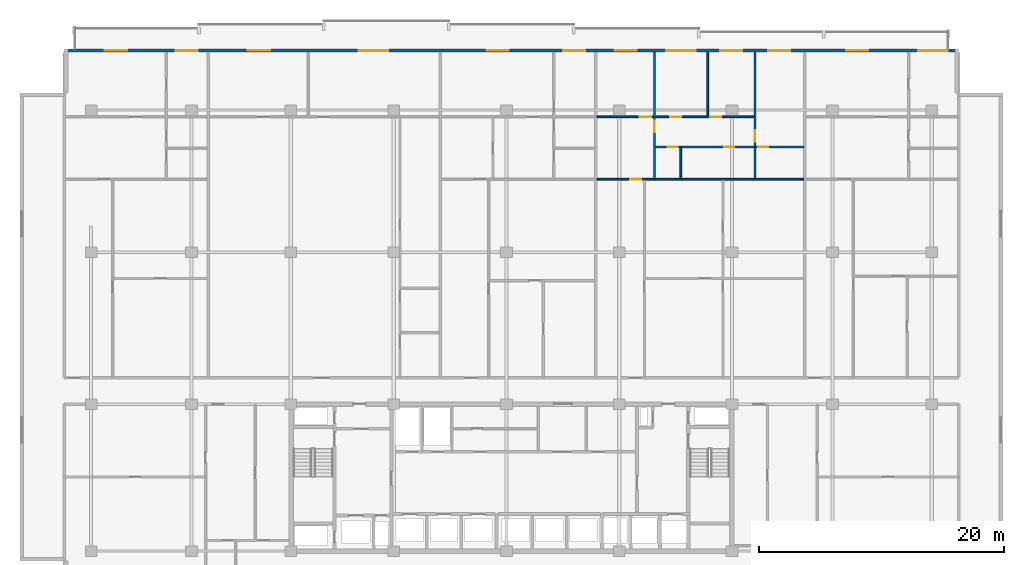
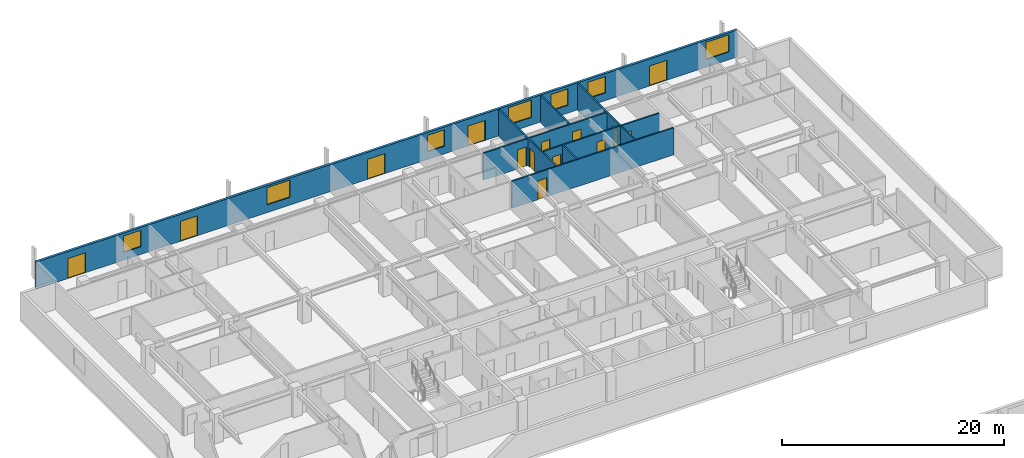
# One storey, part 15 of 22: 14 doors, 9 walls, 7 windows, 21 openings.
"""IFC4 building model written with IfcOpenShell, lengths in metres."""

from ifc_helpers import new_model, si_unit, direction, frame, frame_2d, origin, place, context, subcontext, project, spatial, rectangle, extrude, material, layer, layer_set, type_object, element, fill, save


model = new_model("IFC4")

# Units and contexts
model_context = context("Model", 3, precision=1e-05, world=origin(), true_north=direction((0.0, 1.0)))
body_context = subcontext(model_context, "Body", "Model", "MODEL_VIEW")
ifc_project = project(units=[si_unit("LENGTHUNIT", "METRE"), si_unit("AREAUNIT", "SQUARE_METRE"), si_unit("VOLUMEUNIT", "CUBIC_METRE"), si_unit("PLANEANGLEUNIT", "RADIAN"), si_unit("MASSUNIT", "GRAM", prefix="KILO")], contexts=[model_context])

# Site, building, storey
site_placement = place(None, origin())
site = spatial("IfcSite", under=ifc_project, at=site_placement, CompositionType="ELEMENT")
building_placement = place(site_placement, origin())
building = spatial("IfcBuilding", under=site, at=building_placement, Name="Korimba Cascade Residences", CompositionType="ELEMENT")
storey_placement = place(building_placement, frame((0.0, 0.0, 84.050048828125)))
storey = spatial("IfcBuildingStorey", under=building, at=storey_placement, Name="L23", CompositionType="ELEMENT", Elevation=84.050048828125)

# Wall, openings, doors, windows
ifc_material_1 = material(Name="Precast concrete C40/50", Category="concrete")
ifc_layer_1 = layer(ifc_material_1, 0.25)
ifc_layer_set_1 = layer_set([ifc_layer_1], Name="Precast concrete C40/50")
wall_type_1 = type_object("IfcWallType", Name="EW-LOG-250", PredefinedType="STANDARD", material=ifc_layer_set_1)
wall_1_placement = place(storey_placement, frame((130.60009765625, 96.050048828125, 0.0), z_axis=(0.0, 0.0, 1.0), x_axis=(-1.0, 0.0, 0.0)))
wall_1 = element("IfcWall", 1, at=wall_1_placement, inside=storey, type_object=wall_type_1, Name="L23 T1 Perimeter Stone Wall E06", PredefinedType="STANDARD", context=body_context, shape_type="SweptSolid", body=[
    extrude(rectangle(XDim=73.0, YDim=0.25, at=frame_2d((36.5, 0.0))), origin(), (0.0, 0.0, 1.0), 2.969970703125),
])
opening_1_placement = place(wall_1_placement, frame((67.86669921875, 0.0, 0.0)))
opening_1 = element("IfcOpeningElement", 2, at=opening_1_placement, cuts=wall_1, Name="Opening D-LG1", PredefinedType="OPENING", context=body_context, shape_type="SweptSolid", body=[
    extrude(rectangle(XDim=1.800048828125, YDim=2.199951171875, at=frame_2d((0.89990234375, 1.10009765625))), frame((0.0, 0.135009765625, 0.0), z_axis=(0.0, -1.0, 0.0), x_axis=(1.0, 0.0, 0.0)), (0.0, 0.0, 1.0), 0.27001953125),
])
opening_2_placement = place(wall_1_placement, frame((62.103271484375, 0.0, 0.85009765625)))
opening_2 = element("IfcOpeningElement", 3, at=opening_2_placement, cuts=wall_1, Name="Opening W-02", PredefinedType="OPENING", context=body_context, shape_type="SweptSolid", body=[
    extrude(rectangle(XDim=1.800048828125, YDim=1.800048828125, at=frame_2d((0.89990234375, 0.89990234375))), frame((0.0, 0.135009765625, 0.0), z_axis=(0.0, -1.0, 0.0), x_axis=(1.0, 0.0, 0.0)), (0.0, 0.0, 1.0), 0.27001953125),
])
opening_3_placement = place(wall_1_placement, frame((56.1962890625, 0.0, 0.0)))
opening_3 = element("IfcOpeningElement", 4, at=opening_3_placement, cuts=wall_1, Name="Opening D-LG1", PredefinedType="OPENING", context=body_context, shape_type="SweptSolid", body=[
    extrude(rectangle(XDim=1.800048828125, YDim=2.199951171875, at=frame_2d((0.89990234375, 1.10009765625))), frame((0.0, 0.135009765625, 0.0), z_axis=(0.0, -1.0, 0.0), x_axis=(1.0, 0.0, 0.0)), (0.0, 0.0, 1.0), 0.27001953125),
])
opening_4_placement = place(wall_1_placement, frame((46.557373046875, 0.0, 0.85009765625)))
opening_4 = element("IfcOpeningElement", 5, at=opening_4_placement, cuts=wall_1, Name="Opening W-01", PredefinedType="OPENING", context=body_context, shape_type="SweptSolid", body=[
    extrude(rectangle(XDim=2.39990234375, YDim=1.89990234375, at=frame_2d((1.199951171875, 0.949951171875))), frame((0.0, 0.135009765625, 0.0), z_axis=(0.0, -1.0, 0.0), x_axis=(1.0, 0.0, 0.0)), (0.0, 0.0, 1.0), 0.27001953125),
])
opening_5_placement = place(wall_1_placement, frame((36.714111328125, 0.0, 0.0)))
opening_5 = element("IfcOpeningElement", 6, at=opening_5_placement, cuts=wall_1, Name="Opening D-LG1", PredefinedType="OPENING", context=body_context, shape_type="SweptSolid", body=[
    extrude(rectangle(XDim=1.800048828125, YDim=2.199951171875, at=frame_2d((0.89990234375, 1.10009765625))), frame((0.0, 0.135009765625, 0.0), z_axis=(0.0, -1.0, 0.0), x_axis=(1.0, 0.0, 0.0)), (0.0, 0.0, 1.0), 0.27001953125),
])
opening_6_placement = place(wall_1_placement, frame((30.48291015625, 0.0, 0.85009765625)))
opening_6 = element("IfcOpeningElement", 7, at=opening_6_placement, cuts=wall_1, Name="Opening W-02", PredefinedType="OPENING", context=body_context, shape_type="SweptSolid", body=[
    extrude(rectangle(XDim=1.800048828125, YDim=1.800048828125, at=frame_2d((0.89990234375, 0.89990234375))), frame((0.0, 0.135009765625, 0.0), z_axis=(0.0, -1.0, 0.0), x_axis=(1.0, 0.0, 0.0)), (0.0, 0.0, 1.0), 0.27001953125),
])
opening_7_placement = place(wall_1_placement, frame((21.447021484375, 0.0, 0.85009765625)))
opening_7 = element("IfcOpeningElement", 8, at=opening_7_placement, cuts=wall_1, Name="Opening W-01", PredefinedType="OPENING", context=body_context, shape_type="SweptSolid", body=[
    extrude(rectangle(XDim=2.39990234375, YDim=1.89990234375, at=frame_2d((1.199951171875, 0.949951171875))), frame((0.0, 0.135009765625, 0.0), z_axis=(0.0, -1.0, 0.0), x_axis=(1.0, 0.0, 0.0)), (0.0, 0.0, 1.0), 0.27001953125),
])
opening_8_placement = place(wall_1_placement, frame((17.645751953125, 0.0, 0.85009765625)))
opening_8 = element("IfcOpeningElement", 9, at=opening_8_placement, cuts=wall_1, Name="Opening W-02", PredefinedType="OPENING", context=body_context, shape_type="SweptSolid", body=[
    extrude(rectangle(XDim=1.800048828125, YDim=1.800048828125, at=frame_2d((0.89990234375, 0.89990234375))), frame((0.0, 0.135009765625, 0.0), z_axis=(0.0, -1.0, 0.0), x_axis=(1.0, 0.0, 0.0)), (0.0, 0.0, 1.0), 0.27001953125),
])
opening_9_placement = place(wall_1_placement, frame((26.2578125, 0.0, 0.0)))
opening_9 = element("IfcOpeningElement", 10, at=opening_9_placement, cuts=wall_1, Name="Opening D-LG1", PredefinedType="OPENING", context=body_context, shape_type="SweptSolid", body=[
    extrude(rectangle(XDim=1.800048828125, YDim=2.199951171875, at=frame_2d((0.89990234375, 1.10009765625))), frame((0.0, 0.135009765625, 0.0), z_axis=(0.0, -1.0, 0.0), x_axis=(1.0, 0.0, 0.0)), (0.0, 0.0, 1.0), 0.27001953125),
])
opening_10_placement = place(wall_1_placement, frame((13.75341796875, 0.0, 0.85009765625)))
opening_10 = element("IfcOpeningElement", 11, at=opening_10_placement, cuts=wall_1, Name="Opening W-02", PredefinedType="OPENING", context=body_context, shape_type="SweptSolid", body=[
    extrude(rectangle(XDim=1.800048828125, YDim=1.800048828125, at=frame_2d((0.89990234375, 0.89990234375))), frame((0.0, 0.135009765625, 0.0), z_axis=(0.0, -1.0, 0.0), x_axis=(1.0, 0.0, 0.0)), (0.0, 0.0, 1.0), 0.27001953125),
])
opening_11_placement = place(wall_1_placement, frame((7.36328125, 0.0, 0.0)))
opening_11 = element("IfcOpeningElement", 12, at=opening_11_placement, cuts=wall_1, Name="Opening D-LG1", PredefinedType="OPENING", context=body_context, shape_type="SweptSolid", body=[
    extrude(rectangle(XDim=1.800048828125, YDim=2.199951171875, at=frame_2d((0.89990234375, 1.10009765625))), frame((0.0, 0.135009765625, 0.0), z_axis=(0.0, -1.0, 0.0), x_axis=(1.0, 0.0, 0.0)), (0.0, 0.0, 1.0), 0.27001953125),
])
opening_12_placement = place(wall_1_placement, frame((0.89990234375, 0.0, 0.85009765625)))
opening_12 = element("IfcOpeningElement", 13, at=opening_12_placement, cuts=wall_1, Name="Opening W-01", PredefinedType="OPENING", context=body_context, shape_type="SweptSolid", body=[
    extrude(rectangle(XDim=2.39990234375, YDim=1.89990234375, at=frame_2d((1.199951171875, 0.949951171875))), frame((0.0, 0.135009765625, 0.0), z_axis=(0.0, -1.0, 0.0), x_axis=(1.0, 0.0, 0.0)), (0.0, 0.0, 1.0), 0.27001953125),
])
ifc_material_2 = material(Name="Glazed Aluminium Loggia Sliding Door", Category="aluminium")
door_type_1 = type_object("IfcDoorType", Name="DR-EXT-LOG", OperationType="NOTDEFINED", PredefinedType="DOOR", material=ifc_material_2)
door_1_placement = place(opening_1_placement, origin())
door_1 = element("IfcDoor", 14, at=door_1_placement, inside=storey, type_object=door_type_1, Name="L23 T1 Loggia Sliding Door 3", OperationType="SLIDING_TO_LEFT", OverallHeight=2.199951171875, OverallWidth=1.800048828125, PredefinedType="DOOR", context=body_context, shape_type="SweptSolid", body=[
    extrude(rectangle(XDim=1.800048828125, YDim=2.199951171875, at=frame_2d((0.89990234375, 1.10009765625))), frame((0.0, 0.02490234375, 0.0), z_axis=(0.0, -1.0, 0.0), x_axis=(1.0, 0.0, 0.0)), (0.0, 0.0, 1.0), 0.050048828125),
])
fill(opening_1, door_1)
door_2_placement = place(opening_3_placement, origin())
door_2 = element("IfcDoor", 15, at=door_2_placement, inside=storey, type_object=door_type_1, Name="L23 T1 Loggia Sliding Door 5", OperationType="SLIDING_TO_LEFT", OverallHeight=2.199951171875, OverallWidth=1.800048828125, PredefinedType="DOOR", context=body_context, shape_type="SweptSolid", body=[
    extrude(rectangle(XDim=1.800048828125, YDim=2.199951171875, at=frame_2d((0.89990234375, 1.10009765625))), frame((0.0, 0.02490234375, 0.0), z_axis=(0.0, -1.0, 0.0), x_axis=(1.0, 0.0, 0.0)), (0.0, 0.0, 1.0), 0.050048828125),
])
fill(opening_3, door_2)
door_3_placement = place(opening_5_placement, origin())
door_3 = element("IfcDoor", 16, at=door_3_placement, inside=storey, type_object=door_type_1, Name="L23 T1 Loggia Sliding Door 7", OperationType="SLIDING_TO_LEFT", OverallHeight=2.199951171875, OverallWidth=1.800048828125, PredefinedType="DOOR", context=body_context, shape_type="SweptSolid", body=[
    extrude(rectangle(XDim=1.800048828125, YDim=2.199951171875, at=frame_2d((0.89990234375, 1.10009765625))), frame((0.0, 0.02490234375, 0.0), z_axis=(0.0, -1.0, 0.0), x_axis=(1.0, 0.0, 0.0)), (0.0, 0.0, 1.0), 0.050048828125),
])
fill(opening_5, door_3)
door_4_placement = place(opening_9_placement, origin())
door_4 = element("IfcDoor", 17, at=door_4_placement, inside=storey, type_object=door_type_1, Name="L23 T1 Loggia Sliding Door 11", OperationType="SLIDING_TO_LEFT", OverallHeight=2.199951171875, OverallWidth=1.800048828125, PredefinedType="DOOR", context=body_context, shape_type="SweptSolid", body=[
    extrude(rectangle(XDim=1.800048828125, YDim=2.199951171875, at=frame_2d((0.89990234375, 1.10009765625))), frame((0.0, 0.02490234375, 0.0), z_axis=(0.0, -1.0, 0.0), x_axis=(1.0, 0.0, 0.0)), (0.0, 0.0, 1.0), 0.050048828125),
])
fill(opening_9, door_4)
door_5_placement = place(opening_11_placement, origin())
door_5 = element("IfcDoor", 18, at=door_5_placement, inside=storey, type_object=door_type_1, Name="L23 T1 Loggia Sliding Door 13", OperationType="SLIDING_TO_LEFT", OverallHeight=2.199951171875, OverallWidth=1.800048828125, PredefinedType="DOOR", context=body_context, shape_type="SweptSolid", body=[
    extrude(rectangle(XDim=1.800048828125, YDim=2.199951171875, at=frame_2d((0.89990234375, 1.10009765625))), frame((0.0, 0.02490234375, 0.0), z_axis=(0.0, -1.0, 0.0), x_axis=(1.0, 0.0, 0.0)), (0.0, 0.0, 1.0), 0.050048828125),
])
fill(opening_11, door_5)
ifc_material_3 = material(Name="Double-Glazed Aluminium Window", Category="aluminium")
window_type_1 = type_object("IfcWindowType", Name="WIN-BED-1800", PartitioningType="SINGLE_PANEL", PredefinedType="WINDOW", material=ifc_material_3)
window_1_placement = place(opening_2_placement, origin())
window_1 = element("IfcWindow", 19, at=window_1_placement, inside=storey, type_object=window_type_1, Name="L23 T1 North Facade Window 4", OverallHeight=1.800048828125, OverallWidth=1.800048828125, PartitioningType="SINGLE_PANEL", PredefinedType="WINDOW", context=body_context, shape_type="SweptSolid", body=[
    extrude(rectangle(XDim=1.800048828125, YDim=1.800048828125, at=frame_2d((0.89990234375, 0.89990234375))), frame((0.0, 0.030029296875, 0.0), z_axis=(0.0, -1.0, 0.0), x_axis=(1.0, 0.0, 0.0)), (0.0, 0.0, 1.0), 0.06005859375),
])
fill(opening_2, window_1)
window_2_placement = place(opening_6_placement, origin())
window_2 = element("IfcWindow", 20, at=window_2_placement, inside=storey, type_object=window_type_1, Name="L23 T1 North Facade Window 8", OverallHeight=1.800048828125, OverallWidth=1.800048828125, PartitioningType="SINGLE_PANEL", PredefinedType="WINDOW", context=body_context, shape_type="SweptSolid", body=[
    extrude(rectangle(XDim=1.800048828125, YDim=1.800048828125, at=frame_2d((0.89990234375, 0.89990234375))), frame((0.0, 0.030029296875, 0.0), z_axis=(0.0, -1.0, 0.0), x_axis=(1.0, 0.0, 0.0)), (0.0, 0.0, 1.0), 0.06005859375),
])
fill(opening_6, window_2)
window_3_placement = place(opening_8_placement, origin())
window_3 = element("IfcWindow", 21, at=window_3_placement, inside=storey, type_object=window_type_1, Name="L23 T1 North Facade Window 10", OverallHeight=1.800048828125, OverallWidth=1.800048828125, PartitioningType="SINGLE_PANEL", PredefinedType="WINDOW", context=body_context, shape_type="SweptSolid", body=[
    extrude(rectangle(XDim=1.800048828125, YDim=1.800048828125, at=frame_2d((0.89990234375, 0.89990234375))), frame((0.0, 0.030029296875, 0.0), z_axis=(0.0, -1.0, 0.0), x_axis=(1.0, 0.0, 0.0)), (0.0, 0.0, 1.0), 0.06005859375),
])
fill(opening_8, window_3)
window_4_placement = place(opening_10_placement, origin())
window_4 = element("IfcWindow", 22, at=window_4_placement, inside=storey, type_object=window_type_1, Name="L23 T1 North Facade Window 12", OverallHeight=1.800048828125, OverallWidth=1.800048828125, PartitioningType="SINGLE_PANEL", PredefinedType="WINDOW", context=body_context, shape_type="SweptSolid", body=[
    extrude(rectangle(XDim=1.800048828125, YDim=1.800048828125, at=frame_2d((0.89990234375, 0.89990234375))), frame((0.0, 0.030029296875, 0.0), z_axis=(0.0, -1.0, 0.0), x_axis=(1.0, 0.0, 0.0)), (0.0, 0.0, 1.0), 0.06005859375),
])
fill(opening_10, window_4)
window_type_2 = type_object("IfcWindowType", Name="WIN-RES-2400", PartitioningType="DOUBLE_PANEL_VERTICAL", PredefinedType="WINDOW", material=ifc_material_3)
window_5_placement = place(opening_4_placement, origin())
window_5 = element("IfcWindow", 23, at=window_5_placement, inside=storey, type_object=window_type_2, Name="L23 T1 North Facade Window 6", OverallHeight=1.89990234375, OverallWidth=2.39990234375, PartitioningType="DOUBLE_PANEL_VERTICAL", PredefinedType="WINDOW", context=body_context, shape_type="SweptSolid", body=[
    extrude(rectangle(XDim=2.39990234375, YDim=1.89990234375, at=frame_2d((1.199951171875, 0.949951171875))), frame((0.0, 0.030029296875, 0.0), z_axis=(0.0, -1.0, 0.0), x_axis=(1.0, 0.0, 0.0)), (0.0, 0.0, 1.0), 0.06005859375),
])
fill(opening_4, window_5)
window_6_placement = place(opening_7_placement, origin())
window_6 = element("IfcWindow", 24, at=window_6_placement, inside=storey, type_object=window_type_2, Name="L23 T1 North Facade Window 9", OverallHeight=1.89990234375, OverallWidth=2.39990234375, PartitioningType="DOUBLE_PANEL_VERTICAL", PredefinedType="WINDOW", context=body_context, shape_type="SweptSolid", body=[
    extrude(rectangle(XDim=2.39990234375, YDim=1.89990234375, at=frame_2d((1.199951171875, 0.949951171875))), frame((0.0, 0.030029296875, 0.0), z_axis=(0.0, -1.0, 0.0), x_axis=(1.0, 0.0, 0.0)), (0.0, 0.0, 1.0), 0.06005859375),
])
fill(opening_7, window_6)
window_7_placement = place(opening_12_placement, origin())
window_7 = element("IfcWindow", 25, at=window_7_placement, inside=storey, type_object=window_type_2, Name="L23 T1 North Facade Window 14", OverallHeight=1.89990234375, OverallWidth=2.39990234375, PartitioningType="DOUBLE_PANEL_VERTICAL", PredefinedType="WINDOW", context=body_context, shape_type="SweptSolid", body=[
    extrude(rectangle(XDim=2.39990234375, YDim=1.89990234375, at=frame_2d((1.199951171875, 0.949951171875))), frame((0.0, 0.030029296875, 0.0), z_axis=(0.0, -1.0, 0.0), x_axis=(1.0, 0.0, 0.0)), (0.0, 0.0, 1.0), 0.06005859375),
])
fill(opening_12, window_7)

# Walls
ifc_material_4 = material(Name="Insulated Acoustic Stud Partition", Category="gypsum")
ifc_layer_2 = layer(ifc_material_4, 0.14990234375)
ifc_layer_set_2 = layer_set([ifc_layer_2], Name="Insulated Acoustic Stud Partition")
wall_type_2 = type_object("IfcWallType", Name="WAL-PART-150", PredefinedType="PARTITIONING", material=ifc_layer_set_2)
wall_2_placement = place(storey_placement, frame((107.92724609375, 85.590087890625, 0.0), z_axis=(0.0, 0.0, 1.0), x_axis=(0.0, 1.0, 0.0)))
element("IfcWall", 26, at=wall_2_placement, inside=storey, type_object=wall_type_2, Name="L23 Partition Wall WAL-L23-T1-U04-VDRS", PredefinedType="PARTITIONING", context=body_context, shape_type="SweptSolid", body=[
    extrude(rectangle(XDim=2.579833984375, YDim=0.14990234375, at=frame_2d((1.2900390625, 0.0))), origin(), (0.0, 0.0, 1.0), 2.969970703125),
])
wall_3_placement = place(storey_placement, frame((110.128662109375, 90.72998046875, 0.0), z_axis=(0.0, 0.0, 1.0), x_axis=(0.0, 1.0, 0.0)))
element("IfcWall", 27, at=wall_3_placement, inside=storey, type_object=wall_type_2, Name="L23 Partition Wall WAL-L23-T1-U04-VSTD", PredefinedType="PARTITIONING", context=body_context, shape_type="SweptSolid", body=[
    extrude(rectangle(XDim=5.169921875, YDim=0.14990234375, at=frame_2d((2.5849609375, 0.0))), origin(), (0.0, 0.0, 1.0), 2.969970703125),
])

# Wall, opening, door
wall_4_placement = place(storey_placement, frame((105.777099609375, 85.590087890625, 0.0), z_axis=(0.0, 0.0, 1.0), x_axis=(0.0, 1.0, 0.0)))
wall_4 = element("IfcWall", 28, at=wall_4_placement, inside=storey, type_object=wall_type_2, Name="L23 Partition Wall WAL-L23-T1-U04-V1", PredefinedType="PARTITIONING", context=body_context, shape_type="SweptSolid", body=[
    extrude(rectangle(XDim=10.309814453125, YDim=0.14990234375, at=frame_2d((5.15478515625, 0.0))), origin(), (0.0, 0.0, 1.0), 2.969970703125),
])
opening_13_placement = place(wall_4_placement, frame((3.820068359375, 0.0, 0.0)))
opening_13 = element("IfcOpeningElement", 29, at=opening_13_placement, cuts=wall_4, Name="Opening D-IN1", PredefinedType="OPENING", context=body_context, shape_type="SweptSolid", body=[
    extrude(rectangle(XDim=0.919921875, YDim=2.080078125, at=frame_2d((0.4599609375, 1.0400390625))), frame((0.0, 0.0849609375, 0.0), z_axis=(0.0, -1.0, 0.0), x_axis=(1.0, 0.0, 0.0)), (0.0, 0.0, 1.0), 0.169921875),
])
ifc_material_5 = material(Name="Acoustic Timber Living Door", Category="wood")
door_type_2 = type_object("IfcDoorType", Name="DR-INT-920", OperationType="NOTDEFINED", PredefinedType="DOOR", material=ifc_material_5)
door_6_placement = place(opening_13_placement, origin())
door_6 = element("IfcDoor", 30, at=door_6_placement, inside=storey, type_object=door_type_2, Name="L23-T1-U04 Hallway Door", OperationType="SINGLE_SWING_LEFT", OverallHeight=2.080078125, OverallWidth=0.919921875, PredefinedType="DOOR", context=body_context, shape_type="SweptSolid", body=[
    extrude(rectangle(XDim=0.919921875, YDim=2.080078125, at=frame_2d((0.4599609375, 1.0400390625))), frame((0.0, 0.02490234375, 0.0), z_axis=(0.0, -1.0, 0.0), x_axis=(1.0, 0.0, 0.0)), (0.0, 0.0, 1.0), 0.050048828125),
])
fill(opening_13, door_6)

# Wall
wall_5_placement = place(storey_placement, frame((113.97998046875, 85.590087890625, 0.0), z_axis=(0.0, 0.0, 1.0), x_axis=(0.0, 1.0, 0.0)))
element("IfcWall", 31, at=wall_5_placement, inside=storey, type_object=wall_type_2, Name="L23 Partition Wall WAL-L23-T1-U04-VBATH", PredefinedType="PARTITIONING", context=body_context, shape_type="SweptSolid", body=[
    extrude(rectangle(XDim=2.579833984375, YDim=0.14990234375, at=frame_2d((1.2900390625, 0.0))), origin(), (0.0, 0.0, 1.0), 2.969970703125),
])

# Wall, opening, door
wall_6_placement = place(storey_placement, frame((113.97998046875, 88.2099609375, 0.0), z_axis=(0.0, 0.0, 1.0), x_axis=(0.0, 1.0, 0.0)))
wall_6 = element("IfcWall", 32, at=wall_6_placement, inside=storey, type_object=wall_type_2, Name="L23 Partition Wall WAL-L23-T1-U04-V2FULL", PredefinedType="PARTITIONING", context=body_context, shape_type="SweptSolid", body=[
    extrude(rectangle(XDim=7.68994140625, YDim=0.14990234375, at=frame_2d((3.844970703125, 0.0))), origin(), (0.0, 0.0, 1.0), 2.969970703125),
])
opening_14_placement = place(wall_6_placement, frame((0.410400390625, 0.0, 0.0)))
opening_14 = element("IfcOpeningElement", 33, at=opening_14_placement, cuts=wall_6, Name="Opening D-IN1", PredefinedType="OPENING", context=body_context, shape_type="SweptSolid", body=[
    extrude(rectangle(XDim=0.919921875, YDim=2.080078125, at=frame_2d((0.4599609375, 1.0400390625))), frame((0.0, 0.0849609375, 0.0), z_axis=(0.0, -1.0, 0.0), x_axis=(1.0, 0.0, 0.0)), (0.0, 0.0, 1.0), 0.169921875),
])
door_7_placement = place(opening_14_placement, origin())
door_7 = element("IfcDoor", 34, at=door_7_placement, inside=storey, type_object=door_type_2, Name="L23-T1-U04 Master Bedroom Door", OperationType="SINGLE_SWING_RIGHT", OverallHeight=2.080078125, OverallWidth=0.919921875, PredefinedType="DOOR", context=body_context, shape_type="SweptSolid", body=[
    extrude(rectangle(XDim=0.919921875, YDim=2.080078125, at=frame_2d((0.4599609375, 1.0400390625))), frame((0.0, 0.02490234375, 0.0), z_axis=(0.0, -1.0, 0.0), x_axis=(1.0, 0.0, 0.0)), (0.0, 0.0, 1.0), 0.050048828125),
])
fill(opening_14, door_7)

# Wall, openings, doors
wall_7_placement = place(storey_placement, frame((105.817138671875, 88.18994140625, 0.0), z_axis=(0.0, 0.0, 1.0), x_axis=(1.0, 0.0, 0.0)))
wall_7 = element("IfcWall", 35, at=wall_7_placement, inside=storey, type_object=wall_type_2, Name="L23 Partition Wall WAL-L23-T1-U04-HWALL", PredefinedType="PARTITIONING", context=body_context, shape_type="SweptSolid", body=[
    extrude(rectangle(XDim=12.13623046875, YDim=0.14990234375, at=frame_2d((6.068115234375, 0.0))), origin(), (0.0, 0.0, 1.0), 2.969970703125),
])
opening_15_placement = place(wall_7_placement, frame((1.033935546875, 0.0, 0.0)))
opening_15 = element("IfcOpeningElement", 36, at=opening_15_placement, cuts=wall_7, Name="Opening D-BT1", PredefinedType="OPENING", context=body_context, shape_type="SweptSolid", body=[
    extrude(rectangle(XDim=0.840087890625, YDim=2.0400390625, at=frame_2d((0.419921875, 1.02001953125))), frame((0.0, 0.0849609375, 0.0), z_axis=(0.0, -1.0, 0.0), x_axis=(1.0, 0.0, 0.0)), (0.0, 0.0, 1.0), 0.169921875),
])
opening_16_placement = place(wall_7_placement, frame((5.648193359375, 0.0, 0.0)))
opening_16 = element("IfcOpeningElement", 37, at=opening_16_placement, cuts=wall_7, Name="Opening D-BT1", PredefinedType="OPENING", context=body_context, shape_type="SweptSolid", body=[
    extrude(rectangle(XDim=0.840087890625, YDim=2.0400390625, at=frame_2d((0.419921875, 1.02001953125))), frame((0.0, 0.0849609375, 0.0), z_axis=(0.0, -1.0, 0.0), x_axis=(1.0, 0.0, 0.0)), (0.0, 0.0, 1.0), 0.169921875),
])
opening_17_placement = place(wall_7_placement, frame((8.412841796875, 0.0, 0.0)))
opening_17 = element("IfcOpeningElement", 38, at=opening_17_placement, cuts=wall_7, Name="Opening D-BT1", PredefinedType="OPENING", context=body_context, shape_type="SweptSolid", body=[
    extrude(rectangle(XDim=0.840087890625, YDim=2.0400390625, at=frame_2d((0.419921875, 1.02001953125))), frame((0.0, 0.0849609375, 0.0), z_axis=(0.0, -1.0, 0.0), x_axis=(1.0, 0.0, 0.0)), (0.0, 0.0, 1.0), 0.169921875),
])
ifc_material_6 = material(Name="Moisture-Resistant Bathroom Timber Door", Category="wood")
door_type_3 = type_object("IfcDoorType", Name="DR-INT-850", OperationType="NOTDEFINED", PredefinedType="DOOR", material=ifc_material_6)
door_8_placement = place(opening_15_placement, origin())
door_8 = element("IfcDoor", 39, at=door_8_placement, inside=storey, type_object=door_type_3, Name="L23-T1-U04 Family Bathroom Door", OperationType="SINGLE_SWING_LEFT", OverallHeight=2.0400390625, OverallWidth=0.840087890625, PredefinedType="DOOR", context=body_context, shape_type="SweptSolid", body=[
    extrude(rectangle(XDim=0.840087890625, YDim=2.0400390625, at=frame_2d((0.419921875, 1.02001953125))), frame((0.0, 0.02490234375, 0.0), z_axis=(0.0, -1.0, 0.0), x_axis=(1.0, 0.0, 0.0)), (0.0, 0.0, 1.0), 0.050048828125),
])
fill(opening_15, door_8)
door_9_placement = place(opening_16_placement, origin())
door_9 = element("IfcDoor", 40, at=door_9_placement, inside=storey, type_object=door_type_3, Name="L23-T1-U04 Dressing Room Door", OperationType="SINGLE_SWING_RIGHT", OverallHeight=2.0400390625, OverallWidth=0.840087890625, PredefinedType="DOOR", context=body_context, shape_type="SweptSolid", body=[
    extrude(rectangle(XDim=0.840087890625, YDim=2.0400390625, at=frame_2d((0.419921875, 1.02001953125))), frame((0.0, 0.02490234375, 0.0), z_axis=(0.0, -1.0, 0.0), x_axis=(1.0, 0.0, 0.0)), (0.0, 0.0, 1.0), 0.050048828125),
])
fill(opening_16, door_9)
door_10_placement = place(opening_17_placement, origin())
door_10 = element("IfcDoor", 41, at=door_10_placement, inside=storey, type_object=door_type_3, Name="L23-T1-U04 En-Suite Door", OperationType="SINGLE_SWING_LEFT", OverallHeight=2.0400390625, OverallWidth=0.840087890625, PredefinedType="DOOR", context=body_context, shape_type="SweptSolid", body=[
    extrude(rectangle(XDim=0.840087890625, YDim=2.0400390625, at=frame_2d((0.419921875, 1.02001953125))), frame((0.0, 0.02490234375, 0.0), z_axis=(0.0, -1.0, 0.0), x_axis=(1.0, 0.0, 0.0)), (0.0, 0.0, 1.0), 0.050048828125),
])
fill(opening_17, door_10)

# Wall, opening, door
wall_8_placement = place(storey_placement, frame((101.067138671875, 85.550048828125, 0.0), z_axis=(0.0, 0.0, 1.0), x_axis=(1.0, 0.0, 0.0)))
wall_8 = element("IfcWall", 42, at=wall_8_placement, inside=storey, type_object=wall_type_2, Name="L23 Partition Wall WAL-L23-T1-U04-MW", PredefinedType="PARTITIONING", context=body_context, shape_type="SweptSolid", body=[
    extrude(rectangle(XDim=16.88623046875, YDim=0.14990234375, at=frame_2d((8.443115234375, 0.0))), origin(), (0.0, 0.0, 1.0), 2.969970703125),
])
opening_18_placement = place(wall_8_placement, frame((2.719970703125, 0.0, 0.0)))
opening_18 = element("IfcOpeningElement", 43, at=opening_18_placement, cuts=wall_8, Name="Opening D-IN1", PredefinedType="OPENING", context=body_context, shape_type="SweptSolid", body=[
    extrude(rectangle(XDim=0.919921875, YDim=2.080078125, at=frame_2d((0.4599609375, 1.0400390625))), frame((0.0, 0.0849609375, 0.0), z_axis=(0.0, -1.0, 0.0), x_axis=(1.0, 0.0, 0.0)), (0.0, 0.0, 1.0), 0.169921875),
])
door_11_placement = place(opening_18_placement, origin())
door_11 = element("IfcDoor", 44, at=door_11_placement, inside=storey, type_object=door_type_2, Name="L23-T1-U04 Kitchen Door", OperationType="SINGLE_SWING_RIGHT", OverallHeight=2.080078125, OverallWidth=0.919921875, PredefinedType="DOOR", context=body_context, shape_type="SweptSolid", body=[
    extrude(rectangle(XDim=0.919921875, YDim=2.080078125, at=frame_2d((0.4599609375, 1.0400390625))), frame((0.0, 0.02490234375, 0.0), z_axis=(0.0, -1.0, 0.0), x_axis=(1.0, 0.0, 0.0)), (0.0, 0.0, 1.0), 0.050048828125),
])
fill(opening_18, door_11)

# Wall, openings, doors
wall_9_placement = place(storey_placement, frame((101.067138671875, 90.64990234375, 0.0), z_axis=(0.0, 0.0, 1.0), x_axis=(1.0, 0.0, 0.0)))
wall_9 = element("IfcWall", 45, at=wall_9_placement, inside=storey, type_object=wall_type_2, Name="L23 Partition Wall WAL-L23-T1-U04-HZ", PredefinedType="PARTITIONING", context=body_context, shape_type="SweptSolid", body=[
    extrude(rectangle(XDim=12.912841796875, YDim=0.14990234375, at=frame_2d((6.45654296875, 0.0))), origin(), (0.0, 0.0, 1.0), 2.969970703125),
])
opening_19_placement = place(wall_9_placement, frame((3.52001953125, 0.0, 0.0)))
opening_19 = element("IfcOpeningElement", 46, at=opening_19_placement, cuts=wall_9, Name="Opening D-IN0", PredefinedType="OPENING", context=body_context, shape_type="SweptSolid", body=[
    extrude(rectangle(XDim=0.93994140625, YDim=2.10009765625, at=frame_2d((0.469970703125, 1.050048828125))), frame((0.0, 0.0849609375, 0.0), z_axis=(0.0, -1.0, 0.0), x_axis=(1.0, 0.0, 0.0)), (0.0, 0.0, 1.0), 0.169921875),
])
opening_20_placement = place(wall_9_placement, frame((6.016357421875, 0.0, 0.0)))
opening_20 = element("IfcOpeningElement", 47, at=opening_20_placement, cuts=wall_9, Name="Opening D-IN2", PredefinedType="OPENING", context=body_context, shape_type="SweptSolid", body=[
    extrude(rectangle(XDim=0.8798828125, YDim=2.06005859375, at=frame_2d((0.43994140625, 1.030029296875))), frame((0.0, 0.0849609375, 0.0), z_axis=(0.0, -1.0, 0.0), x_axis=(1.0, 0.0, 0.0)), (0.0, 0.0, 1.0), 0.169921875),
])
opening_21_placement = place(wall_9_placement, frame((9.281494140625, 0.0, 0.0)))
opening_21 = element("IfcOpeningElement", 48, at=opening_21_placement, cuts=wall_9, Name="Opening D-IN2", PredefinedType="OPENING", context=body_context, shape_type="SweptSolid", body=[
    extrude(rectangle(XDim=0.8798828125, YDim=2.06005859375, at=frame_2d((0.43994140625, 1.030029296875))), frame((0.0, 0.0849609375, 0.0), z_axis=(0.0, -1.0, 0.0), x_axis=(1.0, 0.0, 0.0)), (0.0, 0.0, 1.0), 0.169921875),
])
ifc_material_7 = material(Name="Acoustic Timber Bedroom Door", Category="wood")
door_type_4 = type_object("IfcDoorType", Name="DR-INT-880", OperationType="NOTDEFINED", PredefinedType="DOOR", material=ifc_material_7)
door_12_placement = place(opening_20_placement, origin())
door_12 = element("IfcDoor", 49, at=door_12_placement, inside=storey, type_object=door_type_4, Name="L23-T1-U04 Bedroom 2 Door", OperationType="SINGLE_SWING_RIGHT", OverallHeight=2.06005859375, OverallWidth=0.8798828125, PredefinedType="DOOR", context=body_context, shape_type="SweptSolid", body=[
    extrude(rectangle(XDim=0.8798828125, YDim=2.06005859375, at=frame_2d((0.43994140625, 1.030029296875))), frame((0.0, 0.02490234375, 0.0), z_axis=(0.0, -1.0, 0.0), x_axis=(1.0, 0.0, 0.0)), (0.0, 0.0, 1.0), 0.050048828125),
])
fill(opening_20, door_12)
door_13_placement = place(opening_21_placement, origin())
door_13 = element("IfcDoor", 50, at=door_13_placement, inside=storey, type_object=door_type_4, Name="L23-T1-U04 Study Door", OperationType="SINGLE_SWING_LEFT", OverallHeight=2.06005859375, OverallWidth=0.8798828125, PredefinedType="DOOR", context=body_context, shape_type="SweptSolid", body=[
    extrude(rectangle(XDim=0.8798828125, YDim=2.06005859375, at=frame_2d((0.43994140625, 1.030029296875))), frame((0.0, 0.02490234375, 0.0), z_axis=(0.0, -1.0, 0.0), x_axis=(1.0, 0.0, 0.0)), (0.0, 0.0, 1.0), 0.050048828125),
])
fill(opening_21, door_13)
ifc_material_8 = material(Name="Acoustic Timber Living Archway Door", Category="wood")
door_type_5 = type_object("IfcDoorType", Name="DR-INT-950", OperationType="NOTDEFINED", PredefinedType="DOOR", material=ifc_material_8)
door_14_placement = place(opening_19_placement, origin())
door_14 = element("IfcDoor", 51, at=door_14_placement, inside=storey, type_object=door_type_5, Name="L23-T1-U04 Living Room Door", OperationType="SINGLE_SWING_LEFT", OverallHeight=2.10009765625, OverallWidth=0.93994140625, PredefinedType="DOOR", context=body_context, shape_type="SweptSolid", body=[
    extrude(rectangle(XDim=0.93994140625, YDim=2.10009765625, at=frame_2d((0.469970703125, 1.050048828125))), frame((0.0, 0.02490234375, 0.0), z_axis=(0.0, -1.0, 0.0), x_axis=(1.0, 0.0, 0.0)), (0.0, 0.0, 1.0), 0.050048828125),
])
fill(opening_19, door_14)

save(model, "model.ifc")
